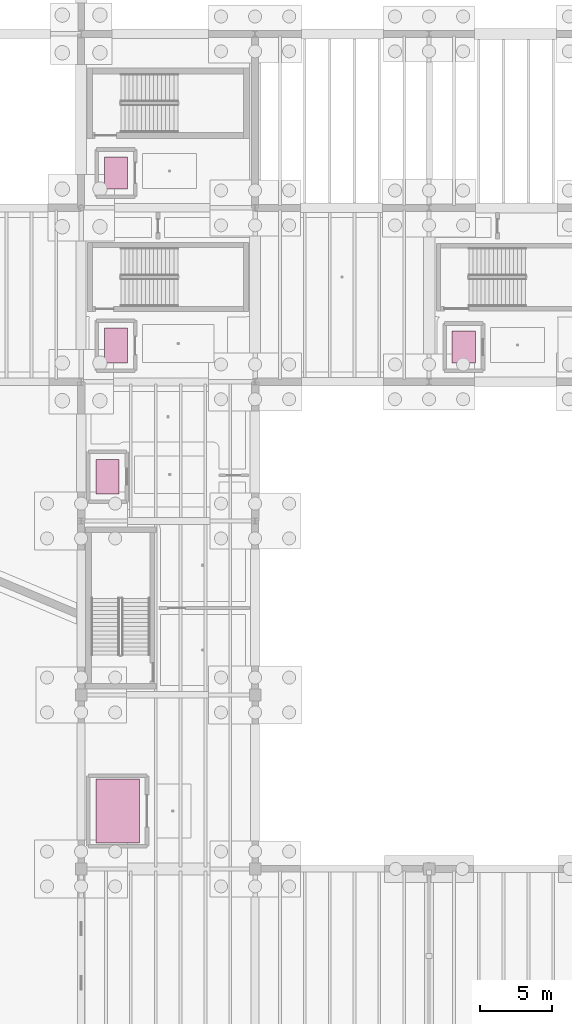
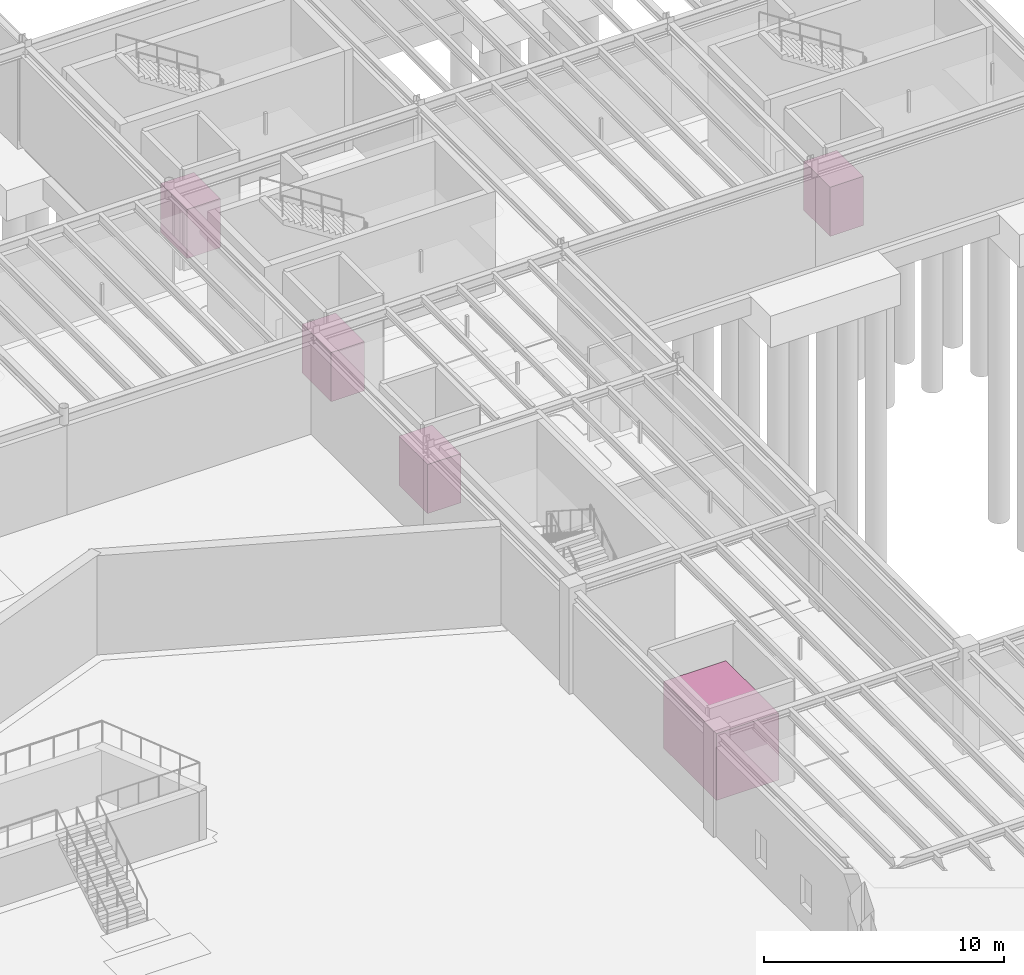
# One storey, part 67 of 67: 5 transport elements.
"""IFC4 building model written with IfcOpenShell, lengths in metres."""

from ifc_helpers import new_model, si_unit, direction, frame, origin, origin_2d, place, context, subcontext, project, spatial, rectangle, extrude, material, type_object, element, save


model = new_model("IFC4")

# Units and contexts
model_context = context("Model", 3, precision=1e-05, world=origin(), true_north=direction((0.0, 1.0)))
body_context = subcontext(model_context, "Body", "Model", "MODEL_VIEW")
ifc_project = project(units=[si_unit("LENGTHUNIT", "METRE"), si_unit("AREAUNIT", "SQUARE_METRE"), si_unit("VOLUMEUNIT", "CUBIC_METRE"), si_unit("PLANEANGLEUNIT", "RADIAN"), si_unit("MASSUNIT", "GRAM", prefix="KILO")], contexts=[model_context])

# Site, building, storey
site_placement = place(None, origin())
site = spatial("IfcSite", under=ifc_project, at=site_placement, CompositionType="ELEMENT")
building_placement = place(site_placement, origin())
building = spatial("IfcBuilding", under=site, at=building_placement, Name="Zlatogorsky Bluff Art Gallery", CompositionType="ELEMENT")
storey_placement = place(building_placement, frame((0.0, 0.0, -5.39990234375)))
storey = spatial("IfcBuildingStorey", under=building, at=storey_placement, Name="B1", CompositionType="ELEMENT", Elevation=-5.39990234375)

# Transport elements
ifc_material = material(Name="Stainless Steel Lift Assembly", Category="steel")
transport_element_type_1 = type_object("IfcTransportElementType", Name="Lift FL-1 1600x2400", PredefinedType="ELEVATOR", material=ifc_material)
transport_element_1_placement = place(storey_placement, frame((121.820068359375, 77.449951171875, 0.0498046875), z_axis=(0.0, 0.0, 1.0), x_axis=(1.0, 0.0, 0.0)))
element("IfcTransportElement", 1, at=transport_element_1_placement, inside=storey, type_object=transport_element_type_1, Name="Firefighting Lift FL-1", PredefinedType="ELEVATOR", context=body_context, shape_type="SweptSolid", body=[
    extrude(rectangle(XDim=1.60009765625, YDim=2.39990234375, at=origin_2d()), origin(), (0.0, 0.0, 1.0), 2.5),
])
transport_element_type_2 = type_object("IfcTransportElementType", Name="Lift FL-2 1600x2400", PredefinedType="ELEVATOR", material=ifc_material)
transport_element_2_placement = place(storey_placement, frame((122.39990234375, 86.5, 0.0498046875), z_axis=(0.0, 0.0, 1.0), x_axis=(1.0, 0.0, 0.0)))
element("IfcTransportElement", 2, at=transport_element_2_placement, inside=storey, type_object=transport_element_type_2, Name="Firefighting Lift FL-2", PredefinedType="ELEVATOR", context=body_context, shape_type="SweptSolid", body=[
    extrude(rectangle(XDim=1.60009765625, YDim=2.39990234375, at=origin_2d()), origin(), (0.0, 0.0, 1.0), 2.5),
])
transport_element_type_3 = type_object("IfcTransportElementType", Name="Lift GL-1 3000x4400", PredefinedType="ELEVATOR", material=ifc_material)
transport_element_3_placement = place(storey_placement, frame((122.52001953125, 54.39990234375, 0.050048828125), z_axis=(0.0, 0.0, 1.0), x_axis=(1.0, 0.0, 0.0)))
element("IfcTransportElement", 3, at=transport_element_3_placement, inside=storey, type_object=transport_element_type_3, Name="Art Goods Lift GL-1", PredefinedType="ELEVATOR", context=body_context, shape_type="SweptSolid", body=[
    extrude(rectangle(XDim=3.0, YDim=4.39990234375, at=origin_2d()), origin(), (0.0, 0.0, 1.0), 3.39990234375),
])
transport_element_type_4 = type_object("IfcTransportElementType", Name="Lift PL-1 1600x2200", PredefinedType="ELEVATOR", material=ifc_material)
transport_element_4_placement = place(storey_placement, frame((122.39990234375, 98.39990234375, 0.0498046875), z_axis=(0.0, 0.0, 1.0), x_axis=(1.0, 0.0, 0.0)))
element("IfcTransportElement", 4, at=transport_element_4_placement, inside=storey, type_object=transport_element_type_4, Name="Passenger Lift PL-1", PredefinedType="ELEVATOR", context=body_context, shape_type="SweptSolid", body=[
    extrude(rectangle(XDim=1.60009765625, YDim=2.199951171875, at=origin_2d()), origin(), (0.0, 0.0, 1.0), 2.5),
])
transport_element_type_5 = type_object("IfcTransportElementType", Name="Lift PL-2 1600x2200", PredefinedType="ELEVATOR", material=ifc_material)
transport_element_5_placement = place(storey_placement, frame((146.39990234375, 86.39990234375, 0.0498046875), z_axis=(0.0, 0.0, 1.0), x_axis=(1.0, 0.0, 0.0)))
element("IfcTransportElement", 5, at=transport_element_5_placement, inside=storey, type_object=transport_element_type_5, Name="Passenger Lift PL-2", PredefinedType="ELEVATOR", context=body_context, shape_type="SweptSolid", body=[
    extrude(rectangle(XDim=1.60009765625, YDim=2.199951171875, at=origin_2d()), origin(), (0.0, 0.0, 1.0), 2.5),
])

save(model, "model.ifc")
